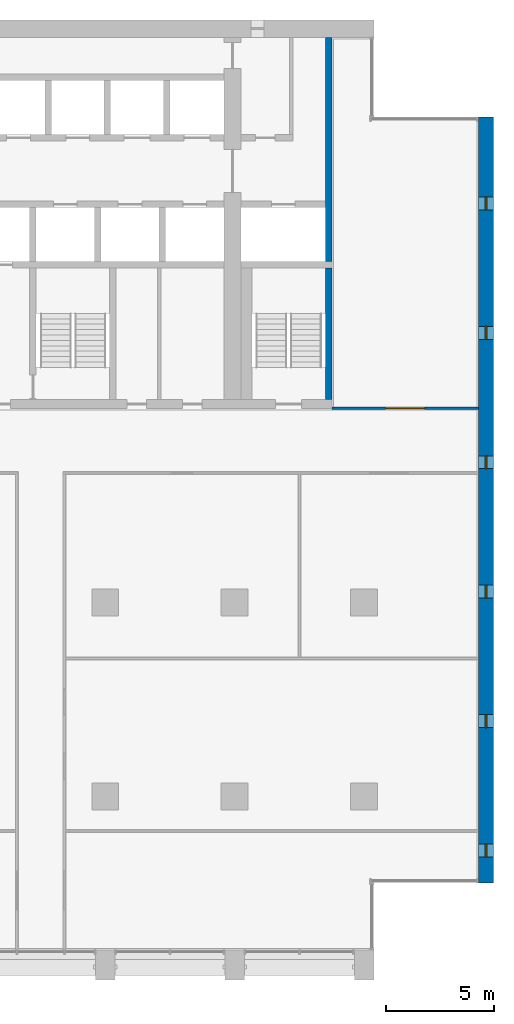
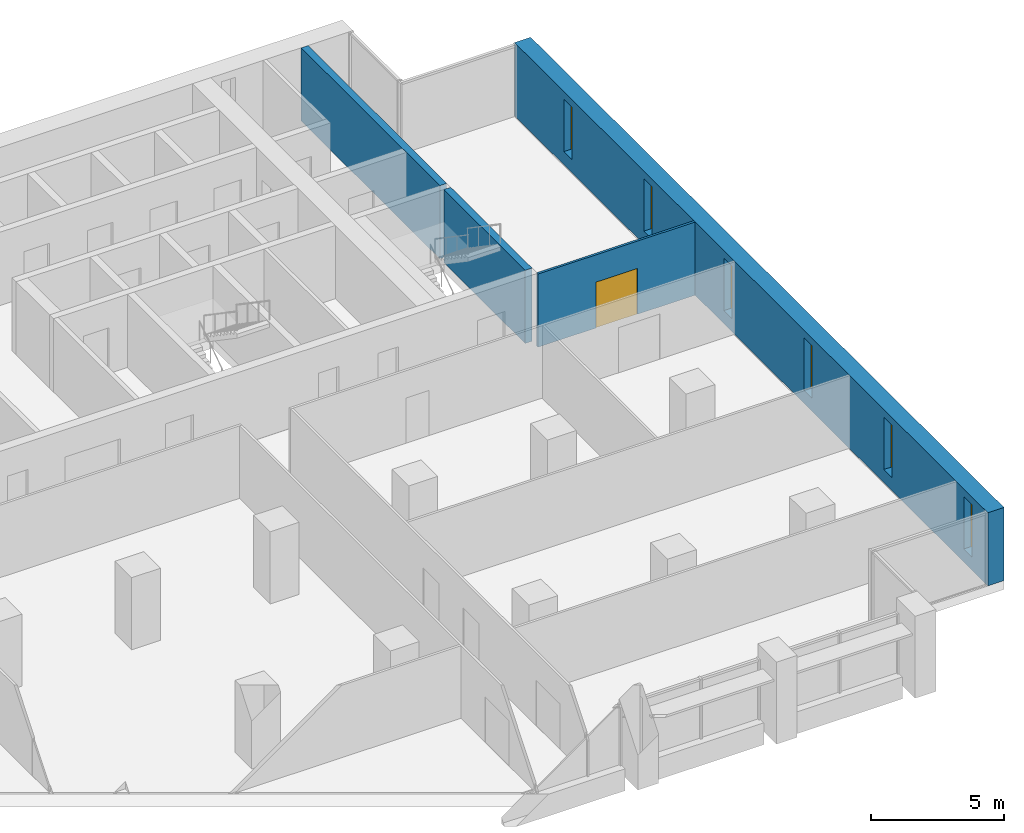
# One storey, part 12 of 16: 6 windows, 4 walls, 1 door, 7 openings.
"""IFC4 building model written with IfcOpenShell, lengths in metres."""

from ifc_helpers import new_model, si_unit, direction, frame, frame_2d, origin, place, context, subcontext, project, spatial, rectangle, extrude, material, layer, layer_set, type_object, element, fill, save


model = new_model("IFC4")

# Units and contexts
model_context = context("Model", 3, precision=1e-05, world=origin(), true_north=direction((0.0, 1.0)))
body_context = subcontext(model_context, "Body", "Model", "MODEL_VIEW")
ifc_project = project(units=[si_unit("LENGTHUNIT", "METRE"), si_unit("AREAUNIT", "SQUARE_METRE"), si_unit("VOLUMEUNIT", "CUBIC_METRE"), si_unit("PLANEANGLEUNIT", "RADIAN"), si_unit("MASSUNIT", "GRAM", prefix="KILO")], contexts=[model_context])

# Site, building, storey
site_placement = place(None, origin())
site = spatial("IfcSite", under=ifc_project, at=site_placement, CompositionType="ELEMENT")
building_placement = place(site_placement, origin())
building = spatial("IfcBuilding", under=site, at=building_placement, Name="Calvaro Tower", CompositionType="ELEMENT")
storey_placement = place(building_placement, frame((0.0, 0.0, 136.25)))
storey = spatial("IfcBuildingStorey", under=building, at=storey_placement, Name="L34", CompositionType="ELEMENT", Elevation=136.25)

# Walls
ifc_material_1 = material(Name="Concrete C60/75", Category="concrete")
ifc_layer_1 = layer(ifc_material_1, 0.300048828125)
ifc_layer_set_1 = layer_set([ifc_layer_1], Name="Concrete C60/75")
wall_type_1 = type_object("IfcWallType", Name="Core wall C60/75 300", PredefinedType="SHEAR", material=ifc_layer_set_1)
wall_1_placement = place(storey_placement, frame((64.35009765625, 34.800048828125, 0.0), z_axis=(0.0, 0.0, 1.0), x_axis=(0.0, 1.0, 0.0)))
element("IfcWall", 1, at=wall_1_placement, inside=storey, type_object=wall_type_1, Name="Core wall, boundary", PredefinedType="SHEAR", context=body_context, shape_type="SweptSolid", body=[
    extrude(rectangle(XDim=10.39990234375, YDim=0.300048828125, at=frame_2d((5.199951171875, 0.0))), origin(), (0.0, 0.0, 1.0), 3.35009765625),
])
wall_2_placement = place(storey_placement, frame((64.35009765625, 28.39990234375, 0.0), z_axis=(0.0, 0.0, 1.0), x_axis=(0.0, 1.0, 0.0)))
element("IfcWall", 2, at=wall_2_placement, inside=storey, type_object=wall_type_1, Name="Core wall, stair enclosure", PredefinedType="SHEAR", context=body_context, shape_type="SweptSolid", body=[
    extrude(rectangle(XDim=6.10009765625, YDim=0.300048828125, at=frame_2d((3.050048828125, 0.0))), origin(), (0.0, 0.0, 1.0), 3.35009765625),
])

# Wall, openings, windows
ifc_material_2 = material(Name="Concrete C60/75", Category="concrete")
ifc_layer_2 = layer(ifc_material_2, 0.699951171875)
ifc_layer_set_2 = layer_set([ifc_layer_2], Name="Concrete C60/75")
wall_type_2 = type_object("IfcWallType", Name="End wall 700 C60/75", PredefinedType="SHEAR", material=ifc_layer_set_2)
wall_3_placement = place(storey_placement, frame((71.64990234375, 6.0, 0.0), z_axis=(0.0, 0.0, 1.0), x_axis=(0.0, 1.0, 0.0)))
wall_3 = element("IfcWall", 3, at=wall_3_placement, inside=storey, type_object=wall_type_2, Name="End shear wall", PredefinedType="SHEAR", context=body_context, shape_type="SweptSolid", body=[
    extrude(rectangle(XDim=35.5, YDim=0.699951171875, at=frame_2d((17.75, 0.0))), origin(), (0.0, 0.0, 1.0), 3.35009765625),
])
opening_1_placement = place(wall_3_placement, frame((1.199951171875, 0.0, 0.60009765625)))
opening_1 = element("IfcOpeningElement", 4, at=opening_1_placement, cuts=wall_3, Name="Opening WE01", PredefinedType="OPENING", context=body_context, shape_type="SweptSolid", body=[
    extrude(rectangle(XDim=0.60009765625, YDim=2.39990234375, at=frame_2d((0.300048828125, 1.199951171875))), frame((0.0, 0.35986328125, 0.0), z_axis=(0.0, -1.0, 0.0), x_axis=(1.0, 0.0, 0.0)), (0.0, 0.0, 1.0), 0.719970703125),
])
opening_2_placement = place(wall_3_placement, frame((7.199951171875, 0.0, 0.60009765625)))
opening_2 = element("IfcOpeningElement", 5, at=opening_2_placement, cuts=wall_3, Name="Opening WE02", PredefinedType="OPENING", context=body_context, shape_type="SweptSolid", body=[
    extrude(rectangle(XDim=0.60009765625, YDim=2.39990234375, at=frame_2d((0.300048828125, 1.199951171875))), frame((0.0, 0.35986328125, 0.0), z_axis=(0.0, -1.0, 0.0), x_axis=(1.0, 0.0, 0.0)), (0.0, 0.0, 1.0), 0.719970703125),
])
opening_3_placement = place(wall_3_placement, frame((13.199951171875, 0.0, 0.60009765625)))
opening_3 = element("IfcOpeningElement", 6, at=opening_3_placement, cuts=wall_3, Name="Opening WE03", PredefinedType="OPENING", context=body_context, shape_type="SweptSolid", body=[
    extrude(rectangle(XDim=0.60009765625, YDim=2.39990234375, at=frame_2d((0.300048828125, 1.199951171875))), frame((0.0, 0.35986328125, 0.0), z_axis=(0.0, -1.0, 0.0), x_axis=(1.0, 0.0, 0.0)), (0.0, 0.0, 1.0), 0.719970703125),
])
opening_4_placement = place(wall_3_placement, frame((19.199951171875, 0.0, 0.60009765625)))
opening_4 = element("IfcOpeningElement", 7, at=opening_4_placement, cuts=wall_3, Name="Opening WE04", PredefinedType="OPENING", context=body_context, shape_type="SweptSolid", body=[
    extrude(rectangle(XDim=0.60009765625, YDim=2.39990234375, at=frame_2d((0.300048828125, 1.199951171875))), frame((0.0, 0.35986328125, 0.0), z_axis=(0.0, -1.0, 0.0), x_axis=(1.0, 0.0, 0.0)), (0.0, 0.0, 1.0), 0.719970703125),
])
opening_5_placement = place(wall_3_placement, frame((25.199951171875, 0.0, 0.60009765625)))
opening_5 = element("IfcOpeningElement", 8, at=opening_5_placement, cuts=wall_3, Name="Opening WE05", PredefinedType="OPENING", context=body_context, shape_type="SweptSolid", body=[
    extrude(rectangle(XDim=0.60009765625, YDim=2.39990234375, at=frame_2d((0.300048828125, 1.199951171875))), frame((0.0, 0.35986328125, 0.0), z_axis=(0.0, -1.0, 0.0), x_axis=(1.0, 0.0, 0.0)), (0.0, 0.0, 1.0), 0.719970703125),
])
opening_6_placement = place(wall_3_placement, frame((31.199951171875, 0.0, 0.60009765625)))
opening_6 = element("IfcOpeningElement", 9, at=opening_6_placement, cuts=wall_3, Name="Opening WE06", PredefinedType="OPENING", context=body_context, shape_type="SweptSolid", body=[
    extrude(rectangle(XDim=0.60009765625, YDim=2.39990234375, at=frame_2d((0.300048828125, 1.199951171875))), frame((0.0, 0.35986328125, 0.0), z_axis=(0.0, -1.0, 0.0), x_axis=(1.0, 0.0, 0.0)), (0.0, 0.0, 1.0), 0.719970703125),
])
ifc_material_3 = material(Name="Glass", Category="glass")
window_type = type_object("IfcWindowType", Name="Slit window 600 x 2400", PartitioningType="SINGLE_PANEL", PredefinedType="WINDOW", material=ifc_material_3)
window_1_placement = place(opening_1_placement, origin())
window_1 = element("IfcWindow", 10, at=window_1_placement, inside=storey, type_object=window_type, Name="Window WE01", OverallHeight=2.39990234375, OverallWidth=0.60009765625, PartitioningType="SINGLE_PANEL", PredefinedType="WINDOW", context=body_context, shape_type="SweptSolid", body=[
    extrude(rectangle(XDim=0.60009765625, YDim=2.39990234375, at=frame_2d((0.300048828125, 1.199951171875))), frame((0.0, 0.030029296875, 0.0), z_axis=(0.0, -1.0, 0.0), x_axis=(1.0, 0.0, 0.0)), (0.0, 0.0, 1.0), 0.06005859375),
])
fill(opening_1, window_1)
window_2_placement = place(opening_2_placement, origin())
window_2 = element("IfcWindow", 11, at=window_2_placement, inside=storey, type_object=window_type, Name="Window WE02", OverallHeight=2.39990234375, OverallWidth=0.60009765625, PartitioningType="SINGLE_PANEL", PredefinedType="WINDOW", context=body_context, shape_type="SweptSolid", body=[
    extrude(rectangle(XDim=0.60009765625, YDim=2.39990234375, at=frame_2d((0.300048828125, 1.199951171875))), frame((0.0, 0.030029296875, 0.0), z_axis=(0.0, -1.0, 0.0), x_axis=(1.0, 0.0, 0.0)), (0.0, 0.0, 1.0), 0.06005859375),
])
fill(opening_2, window_2)
window_3_placement = place(opening_3_placement, origin())
window_3 = element("IfcWindow", 12, at=window_3_placement, inside=storey, type_object=window_type, Name="Window WE03", OverallHeight=2.39990234375, OverallWidth=0.60009765625, PartitioningType="SINGLE_PANEL", PredefinedType="WINDOW", context=body_context, shape_type="SweptSolid", body=[
    extrude(rectangle(XDim=0.60009765625, YDim=2.39990234375, at=frame_2d((0.300048828125, 1.199951171875))), frame((0.0, 0.030029296875, 0.0), z_axis=(0.0, -1.0, 0.0), x_axis=(1.0, 0.0, 0.0)), (0.0, 0.0, 1.0), 0.06005859375),
])
fill(opening_3, window_3)
window_4_placement = place(opening_4_placement, origin())
window_4 = element("IfcWindow", 13, at=window_4_placement, inside=storey, type_object=window_type, Name="Window WE04", OverallHeight=2.39990234375, OverallWidth=0.60009765625, PartitioningType="SINGLE_PANEL", PredefinedType="WINDOW", context=body_context, shape_type="SweptSolid", body=[
    extrude(rectangle(XDim=0.60009765625, YDim=2.39990234375, at=frame_2d((0.300048828125, 1.199951171875))), frame((0.0, 0.030029296875, 0.0), z_axis=(0.0, -1.0, 0.0), x_axis=(1.0, 0.0, 0.0)), (0.0, 0.0, 1.0), 0.06005859375),
])
fill(opening_4, window_4)
window_5_placement = place(opening_5_placement, origin())
window_5 = element("IfcWindow", 14, at=window_5_placement, inside=storey, type_object=window_type, Name="Window WE05", OverallHeight=2.39990234375, OverallWidth=0.60009765625, PartitioningType="SINGLE_PANEL", PredefinedType="WINDOW", context=body_context, shape_type="SweptSolid", body=[
    extrude(rectangle(XDim=0.60009765625, YDim=2.39990234375, at=frame_2d((0.300048828125, 1.199951171875))), frame((0.0, 0.030029296875, 0.0), z_axis=(0.0, -1.0, 0.0), x_axis=(1.0, 0.0, 0.0)), (0.0, 0.0, 1.0), 0.06005859375),
])
fill(opening_5, window_5)
window_6_placement = place(opening_6_placement, origin())
window_6 = element("IfcWindow", 15, at=window_6_placement, inside=storey, type_object=window_type, Name="Window WE06", OverallHeight=2.39990234375, OverallWidth=0.60009765625, PartitioningType="SINGLE_PANEL", PredefinedType="WINDOW", context=body_context, shape_type="SweptSolid", body=[
    extrude(rectangle(XDim=0.60009765625, YDim=2.39990234375, at=frame_2d((0.300048828125, 1.199951171875))), frame((0.0, 0.030029296875, 0.0), z_axis=(0.0, -1.0, 0.0), x_axis=(1.0, 0.0, 0.0)), (0.0, 0.0, 1.0), 0.06005859375),
])
fill(opening_6, window_6)

# Wall, opening, door
ifc_material_4 = material(Name="Plasterboard on steel studs", Category="steel")
ifc_layer_3 = layer(ifc_material_4, 0.10009765625)
ifc_layer_set_3 = layer_set([ifc_layer_3], Name="Plasterboard on steel studs")
wall_type_3 = type_object("IfcWallType", Name="Partition 100", PredefinedType="PARTITIONING", material=ifc_layer_set_3)
wall_4_placement = place(storey_placement, frame((64.5, 28.0, 0.0), z_axis=(0.0, 0.0, 1.0), x_axis=(1.0, 0.0, 0.0)))
wall_4 = element("IfcWall", 16, at=wall_4_placement, inside=storey, type_object=wall_type_3, Name="Partition T21.W010", PredefinedType="PARTITIONING", context=body_context, shape_type="SweptSolid", body=[
    extrude(rectangle(XDim=6.800048828125, YDim=0.10009765625, at=frame_2d((3.39990234375, 0.0))), origin(), (0.0, 0.0, 1.0), 3.35009765625),
])
opening_7_placement = place(wall_4_placement, frame((2.5, 0.0, 0.0)))
opening_7 = element("IfcOpeningElement", 17, at=opening_7_placement, cuts=wall_4, Name="Opening T21.015", PredefinedType="OPENING", context=body_context, shape_type="SweptSolid", body=[
    extrude(rectangle(XDim=1.800048828125, YDim=2.10009765625, at=frame_2d((0.89990234375, 1.050048828125))), frame((0.0, 0.06005859375, 0.0), z_axis=(0.0, -1.0, 0.0), x_axis=(1.0, 0.0, 0.0)), (0.0, 0.0, 1.0), 0.1201171875),
])
ifc_material_5 = material(Name="Timber", Category="wood")
door_type = type_object("IfcDoorType", Name="Internal double door 1800 x 2100", OperationType="DOUBLE_DOOR_SINGLE_SWING", PredefinedType="DOOR", material=ifc_material_5)
door_placement = place(opening_7_placement, origin())
door = element("IfcDoor", 18, at=door_placement, inside=storey, type_object=door_type, Name="Door T21.015", OperationType="DOUBLE_DOOR_SINGLE_SWING", OverallHeight=2.10009765625, OverallWidth=1.800048828125, PredefinedType="DOOR", context=body_context, shape_type="SweptSolid", body=[
    extrude(rectangle(XDim=1.800048828125, YDim=2.10009765625, at=frame_2d((0.89990234375, 1.050048828125))), frame((0.0, 0.02490234375, 0.0), z_axis=(0.0, -1.0, 0.0), x_axis=(1.0, 0.0, 0.0)), (0.0, 0.0, 1.0), 0.050048828125),
])
fill(opening_7, door)

save(model, "model.ifc")
